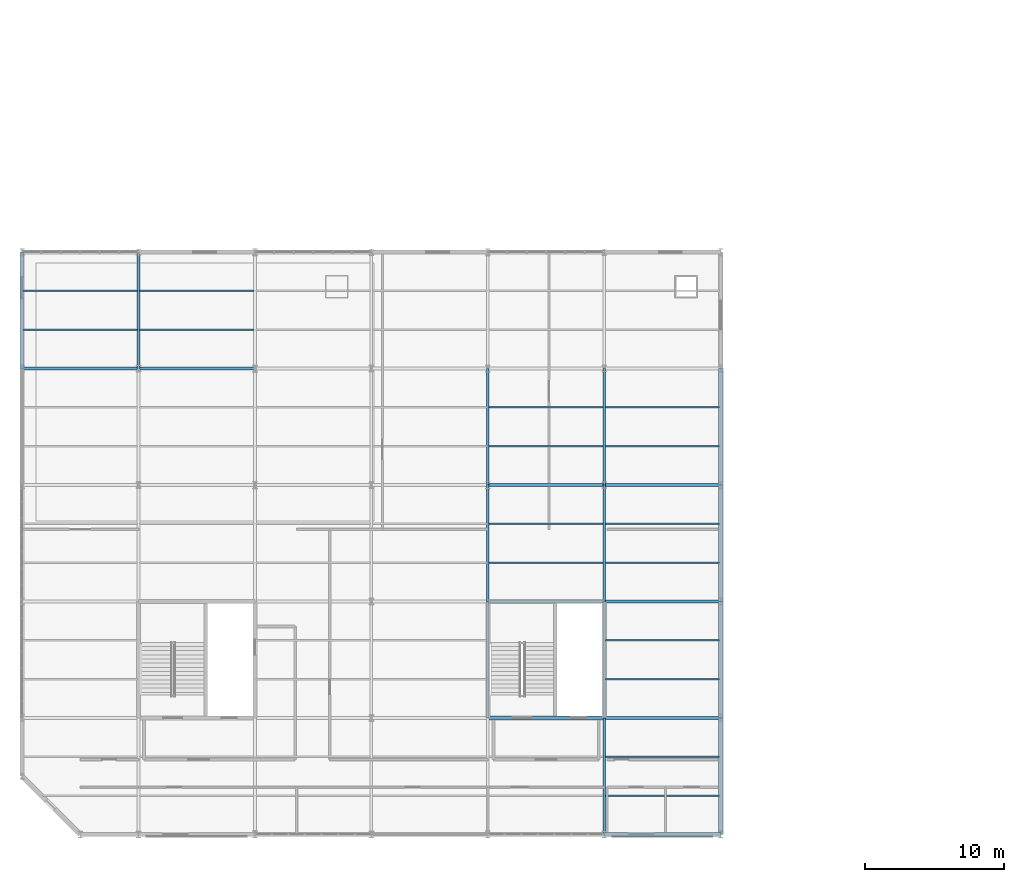
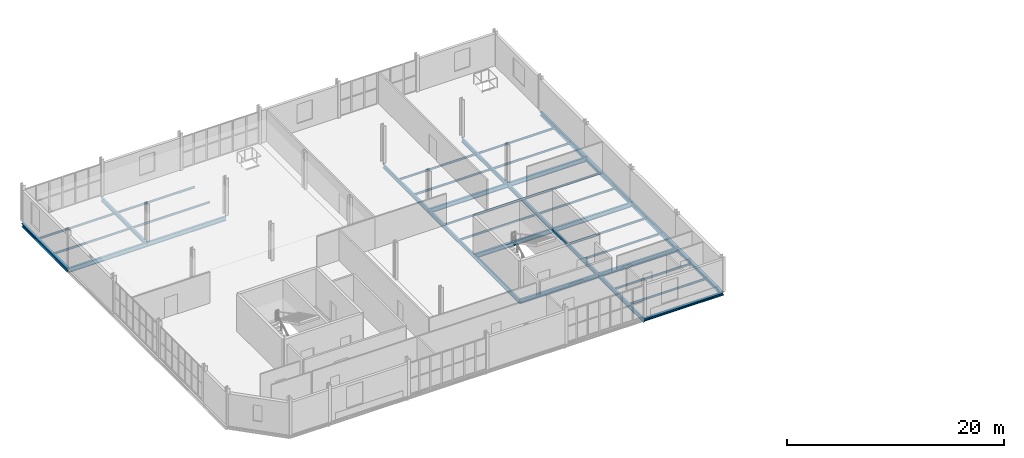
# One storey, part 24 of 65: 38 beams.
"""IFC4 building model written with IfcOpenShell, lengths in metres."""

from ifc_helpers import new_model, si_unit, direction, frame, origin, origin_2d, place, context, subcontext, project, spatial, i_section, extrude, material, material_profile, profile_set, type_object, element, save


model = new_model("IFC4")

# Units and contexts
model_context = context("Model", 3, precision=1e-05, world=origin(), true_north=direction((0.0, 1.0)))
body_context = subcontext(model_context, "Body", "Model", "MODEL_VIEW")
ifc_project = project(units=[si_unit("LENGTHUNIT", "METRE"), si_unit("AREAUNIT", "SQUARE_METRE"), si_unit("VOLUMEUNIT", "CUBIC_METRE"), si_unit("PLANEANGLEUNIT", "RADIAN"), si_unit("MASSUNIT", "GRAM", prefix="KILO")], contexts=[model_context])

# Site, building, storey
site_placement = place(None, origin())
site = spatial("IfcSite", under=ifc_project, at=site_placement, CompositionType="ELEMENT")
building_placement = place(site_placement, origin())
building = spatial("IfcBuilding", under=site, at=building_placement, Name="Qalvenar Corner Mobility Hub", CompositionType="ELEMENT")
storey_placement = place(building_placement, frame((0.0, 0.0, 17.39990234375)))
storey = spatial("IfcBuildingStorey", under=building, at=storey_placement, Name="L04", CompositionType="ELEMENT", Elevation=17.39990234375)

# Beams
ifc_material = material(Name="Steel S355", Category="steel")
ifc_material_profile_1 = material_profile(ifc_material, i_section(OverallWidth=0.18994140625, OverallDepth=0.449951171875, WebThickness=0.009521484375, FlangeThickness=0.0146484375, FilletRadius=0.02099609375, at=origin_2d()), Name="IPE450")
ifc_profile_set_1 = profile_set([ifc_material_profile_1], Name="Steel S355")
beam_type_1 = type_object("IfcBeamType", Name="BM-IPE450", PredefinedType="BEAM", material=ifc_profile_set_1)
beam_1_placement = place(storey_placement, frame((8.39990234375, 33.60009765625, -0.40478515625), z_axis=(0.0, 1.0, 0.0), x_axis=(-1.0, 0.0, 0.0)))
element("IfcBeam", 1, at=beam_1_placement, inside=storey, type_object=beam_type_1, Name="Primary Steel Girder GY-2636", PredefinedType="BEAM", context=body_context, shape_type="SweptSolid", body=[
    extrude(i_section(OverallWidth=0.18994140625, OverallDepth=0.449951171875, WebThickness=0.009521484375, FlangeThickness=0.0146484375, FilletRadius=0.02099609375, at=origin_2d()), origin(), (0.0, 0.0, 1.0), 8.39990234375),
])
beam_2_placement = place(storey_placement, frame((33.60009765625, 8.39990234375, -0.40478515625), z_axis=(0.0, 1.0, 0.0), x_axis=(-1.0, 0.0, 0.0)))
element("IfcBeam", 2, at=beam_2_placement, inside=storey, type_object=beam_type_1, Name="Primary Steel Girder GY-2648", PredefinedType="BEAM", context=body_context, shape_type="SweptSolid", body=[
    extrude(i_section(OverallWidth=0.18994140625, OverallDepth=0.449951171875, WebThickness=0.009521484375, FlangeThickness=0.0146484375, FilletRadius=0.02099609375, at=origin_2d()), origin(), (0.0, 0.0, 1.0), 8.400146484375),
])
beam_3_placement = place(storey_placement, frame((33.60009765625, 16.800048828125, -0.40478515625), z_axis=(0.0, 1.0, 0.0), x_axis=(-1.0, 0.0, 0.0)))
element("IfcBeam", 3, at=beam_3_placement, inside=storey, type_object=beam_type_1, Name="Primary Steel Girder GY-2649", PredefinedType="BEAM", context=body_context, shape_type="SweptSolid", body=[
    extrude(i_section(OverallWidth=0.18994140625, OverallDepth=0.449951171875, WebThickness=0.009521484375, FlangeThickness=0.0146484375, FilletRadius=0.02099609375, at=origin_2d()), origin(), (0.0, 0.0, 1.0), 8.39990234375),
])
beam_4_placement = place(storey_placement, frame((33.60009765625, 25.199951171875, -0.40478515625), z_axis=(0.0, 1.0, 0.0), x_axis=(-1.0, 0.0, 0.0)))
element("IfcBeam", 4, at=beam_4_placement, inside=storey, type_object=beam_type_1, Name="Primary Steel Girder GY-2650", PredefinedType="BEAM", context=body_context, shape_type="SweptSolid", body=[
    extrude(i_section(OverallWidth=0.18994140625, OverallDepth=0.449951171875, WebThickness=0.009521484375, FlangeThickness=0.0146484375, FilletRadius=0.02099609375, at=origin_2d()), origin(), (0.0, 0.0, 1.0), 8.400146484375),
])
beam_5_placement = place(storey_placement, frame((42.0, 0.0, -0.40478515625), z_axis=(0.0, 1.0, 0.0), x_axis=(-1.0, 0.0, 0.0)))
element("IfcBeam", 5, at=beam_5_placement, inside=storey, type_object=beam_type_1, Name="Primary Steel Girder GY-2652", PredefinedType="BEAM", context=body_context, shape_type="SweptSolid", body=[
    extrude(i_section(OverallWidth=0.18994140625, OverallDepth=0.449951171875, WebThickness=0.009521484375, FlangeThickness=0.0146484375, FilletRadius=0.02099609375, at=origin_2d()), origin(), (0.0, 0.0, 1.0), 8.39990234375),
])
beam_6_placement = place(storey_placement, frame((42.0, 8.39990234375, -0.40478515625), z_axis=(0.0, 1.0, 0.0), x_axis=(-1.0, 0.0, 0.0)))
element("IfcBeam", 6, at=beam_6_placement, inside=storey, type_object=beam_type_1, Name="Primary Steel Girder GY-2653", PredefinedType="BEAM", context=body_context, shape_type="SweptSolid", body=[
    extrude(i_section(OverallWidth=0.18994140625, OverallDepth=0.449951171875, WebThickness=0.009521484375, FlangeThickness=0.0146484375, FilletRadius=0.02099609375, at=origin_2d()), origin(), (0.0, 0.0, 1.0), 8.400146484375),
])
beam_7_placement = place(storey_placement, frame((42.0, 16.800048828125, -0.40478515625), z_axis=(0.0, 1.0, 0.0), x_axis=(-1.0, 0.0, 0.0)))
element("IfcBeam", 7, at=beam_7_placement, inside=storey, type_object=beam_type_1, Name="Primary Steel Girder GY-2654", PredefinedType="BEAM", context=body_context, shape_type="SweptSolid", body=[
    extrude(i_section(OverallWidth=0.18994140625, OverallDepth=0.449951171875, WebThickness=0.009521484375, FlangeThickness=0.0146484375, FilletRadius=0.02099609375, at=origin_2d()), origin(), (0.0, 0.0, 1.0), 8.39990234375),
])
beam_8_placement = place(storey_placement, frame((42.0, 25.199951171875, -0.40478515625), z_axis=(0.0, 1.0, 0.0), x_axis=(-1.0, 0.0, 0.0)))
element("IfcBeam", 8, at=beam_8_placement, inside=storey, type_object=beam_type_1, Name="Primary Steel Girder GY-2655", PredefinedType="BEAM", context=body_context, shape_type="SweptSolid", body=[
    extrude(i_section(OverallWidth=0.18994140625, OverallDepth=0.449951171875, WebThickness=0.009521484375, FlangeThickness=0.0146484375, FilletRadius=0.02099609375, at=origin_2d()), origin(), (0.0, 0.0, 1.0), 8.400146484375),
])
ifc_material_profile_2 = material_profile(ifc_material, i_section(OverallWidth=0.199951171875, OverallDepth=0.5, WebThickness=0.01025390625, FlangeThickness=0.01611328125, FilletRadius=0.02099609375, at=origin_2d()), Name="IPE500")
ifc_profile_set_2 = profile_set([ifc_material_profile_2], Name="Steel S355")
beam_type_2 = type_object("IfcBeamType", Name="BM-IPE500", PredefinedType="BEAM", material=ifc_profile_set_2)
for number, where, z_axis, x_axis, name in (
    (9, (33.60009765625, 8.39990234375, -0.429931640625), (1.0, 0.0, 0.0), (0.0, 1.0, 0.0), "Primary Steel Girder GX-2601"),
    (10, (42.0, 8.39990234375, -0.429931640625), (1.0, 0.0, 0.0), (0.0, 1.0, 0.0), "Primary Steel Girder GX-2602"),
    (11, (33.60009765625, 16.800048828125, -0.429931640625), (1.0, 0.0, 0.0), (0.0, 1.0, 0.0), "Primary Steel Girder GX-2607"),
    (12, (42.0, 16.800048828125, -0.429931640625), (1.0, 0.0, 0.0), (0.0, 1.0, 0.0), "Primary Steel Girder GX-2608"),
    (13, (33.60009765625, 25.199951171875, -0.429931640625), (1.0, 0.0, 0.0), (0.0, 1.0, 0.0), "Primary Steel Girder GX-2613"),
    (14, (42.0, 25.199951171875, -0.429931640625), (1.0, 0.0, 0.0), (0.0, 1.0, 0.0), "Primary Steel Girder GX-2614"),
    (15, (0.0, 33.60009765625, -0.429931640625), (1.0, 0.0, 0.0), (0.0, 1.0, 0.0), "Primary Steel Girder GX-2615"),
):
    element("IfcBeam", number, at=place(storey_placement, frame(where, z_axis=z_axis, x_axis=x_axis)), inside=storey, type_object=beam_type_2, Name=name, PredefinedType="BEAM", context=body_context, shape_type="SweptSolid", body=[
        extrude(i_section(OverallWidth=0.199951171875, OverallDepth=0.5, WebThickness=0.01025390625, FlangeThickness=0.01611328125, FilletRadius=0.02099609375, at=origin_2d()), origin(), (0.0, 0.0, 1.0), 8.39990234375),
    ])
beam_9_placement = place(storey_placement, frame((8.39990234375, 33.60009765625, -0.429931640625), z_axis=(1.0, 0.0, 0.0), x_axis=(0.0, 1.0, 0.0)))
element("IfcBeam", 16, at=beam_9_placement, inside=storey, type_object=beam_type_2, Name="Primary Steel Girder GX-2616", PredefinedType="BEAM", context=body_context, shape_type="SweptSolid", body=[
    extrude(i_section(OverallWidth=0.199951171875, OverallDepth=0.5, WebThickness=0.01025390625, FlangeThickness=0.01611328125, FilletRadius=0.02099609375, at=origin_2d()), origin(), (0.0, 0.0, 1.0), 8.400146484375),
])
ifc_material_profile_3 = material_profile(ifc_material, i_section(OverallWidth=0.110107421875, OverallDepth=0.219970703125, WebThickness=0.005859375, FlangeThickness=0.00927734375, FilletRadius=0.011962890625, at=origin_2d()), Name="IPE220")
ifc_profile_set_3 = profile_set([ifc_material_profile_3], Name="Steel S355")
beam_type_3 = type_object("IfcBeamType", Name="BM-JST220", PredefinedType="JOIST", material=ifc_profile_set_3)
for number, where, z_axis, x_axis, name in (
    (17, (0.077880859375, 36.39990234375, -0.289794921875), (1.0, 0.0, 0.0), (0.0, 1.0, 0.0), "Composite Floor Joist J-2671"),
    (18, (0.077880859375, 39.199951171875, -0.289794921875), (1.0, 0.0, 0.0), (0.0, 1.0, 0.0), "Composite Floor Joist J-2672"),
):
    element("IfcBeam", number, at=place(storey_placement, frame(where, z_axis=z_axis, x_axis=x_axis)), inside=storey, type_object=beam_type_3, Name=name, PredefinedType="JOIST", context=body_context, shape_type="SweptSolid", body=[
        extrude(i_section(OverallWidth=0.110107421875, OverallDepth=0.219970703125, WebThickness=0.005859375, FlangeThickness=0.00927734375, FilletRadius=0.011962890625, at=origin_2d()), origin(), (0.0, 0.0, 1.0), 8.244140625),
    ])
for number, where, z_axis, x_axis, name in (
    (19, (8.47802734375, 36.39990234375, -0.289794921875), (1.0, 0.0, 0.0), (0.0, 1.0, 0.0), "Composite Floor Joist J-2679"),
    (20, (8.47802734375, 39.199951171875, -0.289794921875), (1.0, 0.0, 0.0), (0.0, 1.0, 0.0), "Composite Floor Joist J-2680"),
):
    element("IfcBeam", number, at=place(storey_placement, frame(where, z_axis=z_axis, x_axis=x_axis)), inside=storey, type_object=beam_type_3, Name=name, PredefinedType="JOIST", context=body_context, shape_type="SweptSolid", body=[
        extrude(i_section(OverallWidth=0.110107421875, OverallDepth=0.219970703125, WebThickness=0.005859375, FlangeThickness=0.00927734375, FilletRadius=0.011962890625, at=origin_2d()), origin(), (0.0, 0.0, 1.0), 8.243896484375),
    ])
for number, where, z_axis, x_axis, name in (
    (21, (33.677978515625, 19.60009765625, -0.289794921875), (1.0, 0.0, 0.0), (0.0, 1.0, 0.0), "Composite Floor Joist J-2703"),
    (22, (33.677978515625, 22.39990234375, -0.289794921875), (1.0, 0.0, 0.0), (0.0, 1.0, 0.0), "Composite Floor Joist J-2704"),
    (23, (33.677978515625, 28.0, -0.289794921875), (1.0, 0.0, 0.0), (0.0, 1.0, 0.0), "Composite Floor Joist J-2705"),
    (24, (33.677978515625, 30.800048828125, -0.289794921875), (1.0, 0.0, 0.0), (0.0, 1.0, 0.0), "Composite Floor Joist J-2706"),
    (25, (42.077880859375, 2.800048828125, -0.289794921875), (1.0, 0.0, 0.0), (0.0, 1.0, 0.0), "Composite Floor Joist J-2709"),
    (26, (42.077880859375, 5.60009765625, -0.289794921875), (1.0, 0.0, 0.0), (0.0, 1.0, 0.0), "Composite Floor Joist J-2710"),
    (27, (42.077880859375, 11.199951171875, -0.289794921875), (1.0, 0.0, 0.0), (0.0, 1.0, 0.0), "Composite Floor Joist J-2711"),
    (28, (42.077880859375, 14.0, -0.289794921875), (1.0, 0.0, 0.0), (0.0, 1.0, 0.0), "Composite Floor Joist J-2712"),
    (29, (42.077880859375, 19.60009765625, -0.289794921875), (1.0, 0.0, 0.0), (0.0, 1.0, 0.0), "Composite Floor Joist J-2713"),
    (30, (42.077880859375, 22.39990234375, -0.289794921875), (1.0, 0.0, 0.0), (0.0, 1.0, 0.0), "Composite Floor Joist J-2714"),
    (31, (42.077880859375, 28.0, -0.289794921875), (1.0, 0.0, 0.0), (0.0, 1.0, 0.0), "Composite Floor Joist J-2715"),
    (32, (42.077880859375, 30.800048828125, -0.289794921875), (1.0, 0.0, 0.0), (0.0, 1.0, 0.0), "Composite Floor Joist J-2716"),
):
    element("IfcBeam", number, at=place(storey_placement, frame(where, z_axis=z_axis, x_axis=x_axis)), inside=storey, type_object=beam_type_3, Name=name, PredefinedType="JOIST", context=body_context, shape_type="SweptSolid", body=[
        extrude(i_section(OverallWidth=0.110107421875, OverallDepth=0.219970703125, WebThickness=0.005859375, FlangeThickness=0.00927734375, FilletRadius=0.011962890625, at=origin_2d()), origin(), (0.0, 0.0, 1.0), 8.244140625),
    ])
ifc_material_profile_4 = material_profile(ifc_material, i_section(OverallWidth=0.280029296875, OverallDepth=0.27001953125, WebThickness=0.008056640625, FlangeThickness=0.012939453125, FilletRadius=0.02392578125, at=origin_2d()), Name="HEA280")
ifc_profile_set_4 = profile_set([ifc_material_profile_4], Name="Steel S355")
beam_type_4 = type_object("IfcBeamType", Name="BM-SPN280", PredefinedType="SPANDREL", material=ifc_profile_set_4)
beam_10_placement = place(storey_placement, frame((42.0, 0.0, -0.31494140625), z_axis=(1.0, 0.0, 0.0), x_axis=(0.0, 1.0, 0.0)))
element("IfcBeam", 33, at=beam_10_placement, inside=storey, type_object=beam_type_4, Name="Primary Steel Girder GX-2596", PredefinedType="SPANDREL", context=body_context, shape_type="SweptSolid", body=[
    extrude(i_section(OverallWidth=0.280029296875, OverallDepth=0.27001953125, WebThickness=0.008056640625, FlangeThickness=0.012939453125, FilletRadius=0.02392578125, at=origin_2d()), origin(), (0.0, 0.0, 1.0), 8.39990234375),
])
ifc_material_profile_5 = material_profile(ifc_material, i_section(OverallWidth=0.300048828125, OverallDepth=0.389892578125, WebThickness=0.010986328125, FlangeThickness=0.01904296875, FilletRadius=0.027099609375, at=origin_2d()), Name="HEA400")
ifc_profile_set_5 = profile_set([ifc_material_profile_5], Name="Steel S355")
beam_type_5 = type_object("IfcBeamType", Name="BM-SPN400", PredefinedType="SPANDREL", material=ifc_profile_set_5)
for number, where, z_axis, x_axis, name in (
    (34, (0.0, 33.60009765625, -0.375), (0.0, 1.0, 0.0), (-1.0, 0.0, 0.0), "Primary Steel Girder GY-2631"),
    (35, (50.39990234375, 0.0, -0.375), (0.0, 1.0, 0.0), (-1.0, 0.0, 0.0), "Primary Steel Girder GY-2657"),
):
    element("IfcBeam", number, at=place(storey_placement, frame(where, z_axis=z_axis, x_axis=x_axis)), inside=storey, type_object=beam_type_5, Name=name, PredefinedType="SPANDREL", context=body_context, shape_type="SweptSolid", body=[
        extrude(i_section(OverallWidth=0.300048828125, OverallDepth=0.389892578125, WebThickness=0.010986328125, FlangeThickness=0.01904296875, FilletRadius=0.027099609375, at=origin_2d()), origin(), (0.0, 0.0, 1.0), 8.39990234375),
    ])
beam_11_placement = place(storey_placement, frame((50.39990234375, 8.39990234375, -0.375), z_axis=(0.0, 1.0, 0.0), x_axis=(-1.0, 0.0, 0.0)))
element("IfcBeam", 36, at=beam_11_placement, inside=storey, type_object=beam_type_5, Name="Primary Steel Girder GY-2658", PredefinedType="SPANDREL", context=body_context, shape_type="SweptSolid", body=[
    extrude(i_section(OverallWidth=0.300048828125, OverallDepth=0.389892578125, WebThickness=0.010986328125, FlangeThickness=0.01904296875, FilletRadius=0.027099609375, at=origin_2d()), origin(), (0.0, 0.0, 1.0), 8.400146484375),
])
beam_12_placement = place(storey_placement, frame((50.39990234375, 16.800048828125, -0.375), z_axis=(0.0, 1.0, 0.0), x_axis=(-1.0, 0.0, 0.0)))
element("IfcBeam", 37, at=beam_12_placement, inside=storey, type_object=beam_type_5, Name="Primary Steel Girder GY-2659", PredefinedType="SPANDREL", context=body_context, shape_type="SweptSolid", body=[
    extrude(i_section(OverallWidth=0.300048828125, OverallDepth=0.389892578125, WebThickness=0.010986328125, FlangeThickness=0.01904296875, FilletRadius=0.027099609375, at=origin_2d()), origin(), (0.0, 0.0, 1.0), 8.39990234375),
])
beam_13_placement = place(storey_placement, frame((50.39990234375, 25.199951171875, -0.375), z_axis=(0.0, 1.0, 0.0), x_axis=(-1.0, 0.0, 0.0)))
element("IfcBeam", 38, at=beam_13_placement, inside=storey, type_object=beam_type_5, Name="Primary Steel Girder GY-2660", PredefinedType="SPANDREL", context=body_context, shape_type="SweptSolid", body=[
    extrude(i_section(OverallWidth=0.300048828125, OverallDepth=0.389892578125, WebThickness=0.010986328125, FlangeThickness=0.01904296875, FilletRadius=0.027099609375, at=origin_2d()), origin(), (0.0, 0.0, 1.0), 8.400146484375),
])

save(model, "model.ifc")
